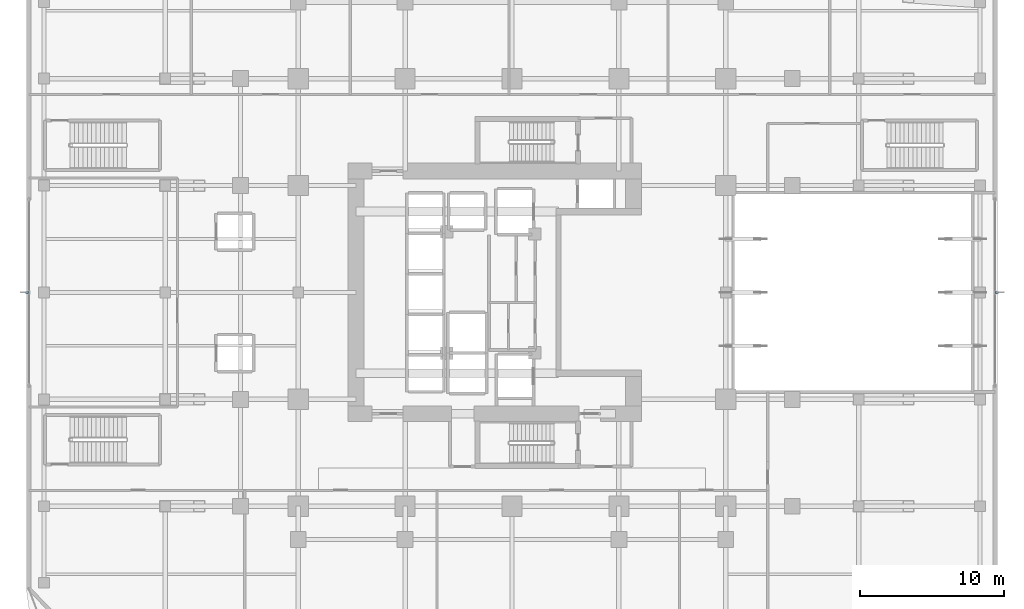
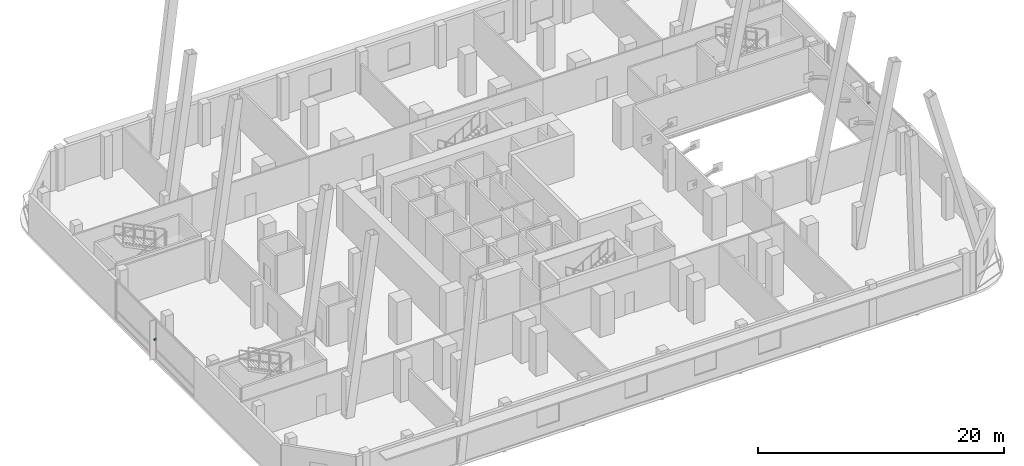
# One storey, part 16 of 23: 2 discrete accessories.
"""IFC4 building model written with IfcOpenShell, lengths in metres."""

from ifc_helpers import new_model, si_unit, direction, frame, origin, origin_2d, place, context, subcontext, project, spatial, rectangle, extrude, material, type_object, element, save


model = new_model("IFC4")

# Units and contexts
model_context = context("Model", 3, precision=1e-05, world=origin(), true_north=direction((0.0, 1.0)))
body_context = subcontext(model_context, "Body", "Model", "MODEL_VIEW")
ifc_project = project(units=[si_unit("LENGTHUNIT", "METRE"), si_unit("AREAUNIT", "SQUARE_METRE"), si_unit("VOLUMEUNIT", "CUBIC_METRE"), si_unit("PLANEANGLEUNIT", "RADIAN"), si_unit("MASSUNIT", "GRAM", prefix="KILO")], contexts=[model_context])

# Site, building, storey
site_placement = place(None, origin())
site = spatial("IfcSite", under=ifc_project, at=site_placement, CompositionType="ELEMENT")
building_placement = place(site_placement, origin())
building = spatial("IfcBuilding", under=site, at=building_placement, Name="Khorvyn Point Tower", CompositionType="ELEMENT")
storey_placement = place(building_placement, frame((0.0, 0.0, 9.0)))
storey = spatial("IfcBuildingStorey", under=building, at=storey_placement, Name="L03", CompositionType="ELEMENT", Elevation=9.0)

# Discrete accessories
ifc_material = material(Name="Stainless steel 1.4401", Category="steel")
discrete_accessory_type = type_object("IfcDiscreteAccessoryType", Name="Stainless Steel 316 Facade Fin Fixing Bracket", PredefinedType="BRACKET", material=ifc_material)
for number, where, z_axis, x_axis, name in (
    (1, (-33.550048828125, 0.0, 1.89990234375), (0.0, 0.0, 1.0), (0.0, 1.0, 0.0), "L03 Solar Fin Fixing Bracket 01"),
    (2, (33.550048828125, 0.0, 1.89990234375), (0.0, 0.0, 1.0), (0.0, 1.0, 0.0), "L03 Solar Fin Fixing Bracket 01"),
):
    element("IfcDiscreteAccessory", number, at=place(storey_placement, frame(where, z_axis=z_axis, x_axis=x_axis)), inside=storey, type_object=discrete_accessory_type, Name=name, PredefinedType="BRACKET", context=body_context, shape_type="SweptSolid", body=[
        extrude(rectangle(XDim=0.159912109375, YDim=0.260009765625, at=origin_2d()), origin(), (0.0, 0.0, 1.0), 0.159912109375),
    ])

save(model, "model.ifc")
